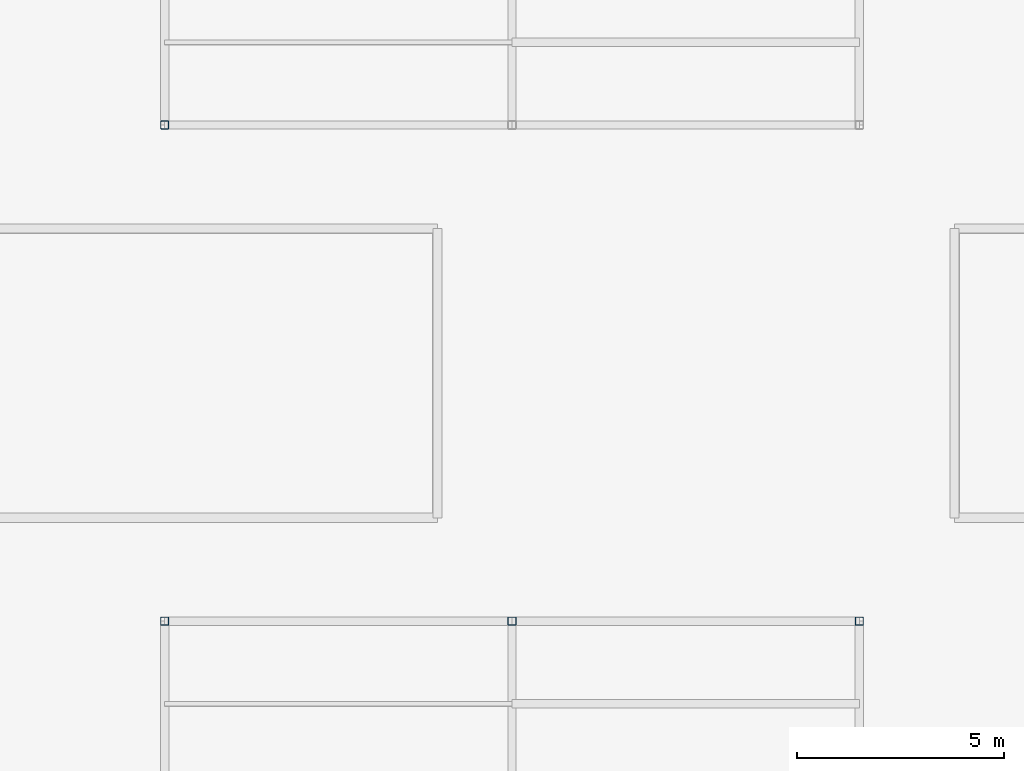
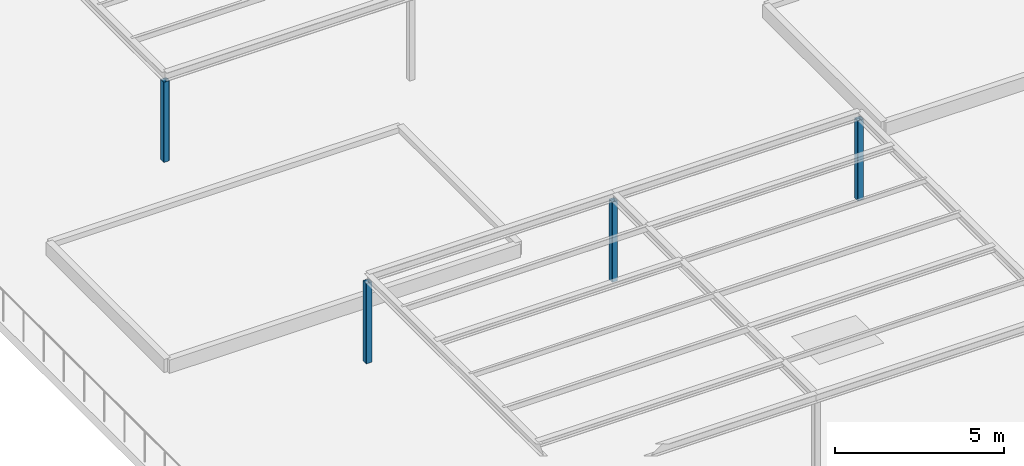
# One storey, part 6 of 49: 4 columns.
"""IFC4 building model written with IfcOpenShell, lengths in metres."""

from ifc_helpers import new_model, si_unit, direction, frame, origin, origin_2d, place, context, subcontext, project, spatial, hollow_rectangle, extrude, material, material_profile, profile_set, type_object, element, save


model = new_model("IFC4")

# Units and contexts
model_context = context("Model", 3, precision=1e-05, world=origin(), true_north=direction((0.0, 1.0)))
body_context = subcontext(model_context, "Body", "Model", "MODEL_VIEW")
ifc_project = project(units=[si_unit("LENGTHUNIT", "METRE"), si_unit("AREAUNIT", "SQUARE_METRE"), si_unit("VOLUMEUNIT", "CUBIC_METRE"), si_unit("PLANEANGLEUNIT", "RADIAN"), si_unit("MASSUNIT", "GRAM", prefix="KILO")], contexts=[model_context])

# Site, building, storey
site_placement = place(None, origin())
site = spatial("IfcSite", under=ifc_project, at=site_placement, CompositionType="ELEMENT")
building_placement = place(site_placement, origin())
building = spatial("IfcBuilding", under=site, at=building_placement, Name="Sitalva Quay Ferry Terminal", CompositionType="ELEMENT")
storey_placement = place(building_placement, frame((0.0, 0.0, 10.199951171875)))
storey = spatial("IfcBuildingStorey", under=building, at=storey_placement, Name="L03", CompositionType="ELEMENT", Elevation=10.199951171875)

# Columns
ifc_material = material(Name="Structural Steel S355JR", Category="steel")
ifc_material_profile = material_profile(ifc_material, hollow_rectangle(XDim=0.199951171875, YDim=0.199951171875, WallThickness=0.010009765625, InnerFilletRadius=0.010009765625, OuterFilletRadius=0.02001953125, at=origin_2d()), Name="SHS200x200x10")
ifc_profile_set = profile_set([ifc_material_profile], Name="Structural Steel S355JR")
column_type = type_object("IfcColumnType", Name="Col_SHS200x10", PredefinedType="COLUMN", material=ifc_profile_set)
for number, where, z_axis, x_axis, name in (
    (1, (92.39990234375, 42.0, 0.0), (0.0, 0.0, 1.0), (1.0, 0.0, 0.0), "L03 column 12F"),
    (2, (100.800048828125, 42.0, 0.0), (0.0, 0.0, 1.0), (1.0, 0.0, 0.0), "L03 column 13F"),
    (3, (109.199951171875, 42.0, 0.0), (0.0, 0.0, 1.0), (1.0, 0.0, 0.0), "L03 column 14F"),
    (4, (92.39990234375, 54.0, 0.0), (0.0, 0.0, 1.0), (1.0, 0.0, 0.0), "L03 column 12G"),
):
    element("IfcColumn", number, at=place(storey_placement, frame(where, z_axis=z_axis, x_axis=x_axis)), inside=storey, type_object=column_type, Name=name, PredefinedType="COLUMN", context=body_context, shape_type="SweptSolid", body=[
        extrude(hollow_rectangle(XDim=0.199951171875, YDim=0.199951171875, WallThickness=0.010009765625, InnerFilletRadius=0.010009765625, OuterFilletRadius=0.02001953125, at=origin_2d()), origin(), (0.0, 0.0, 1.0), 2.89697265625),
    ])

save(model, "model.ifc")
